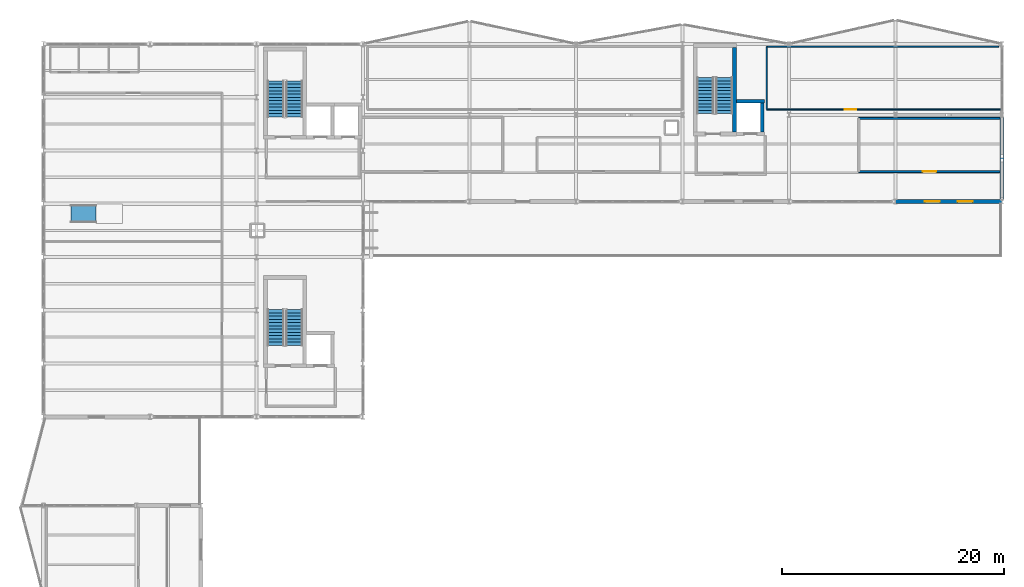
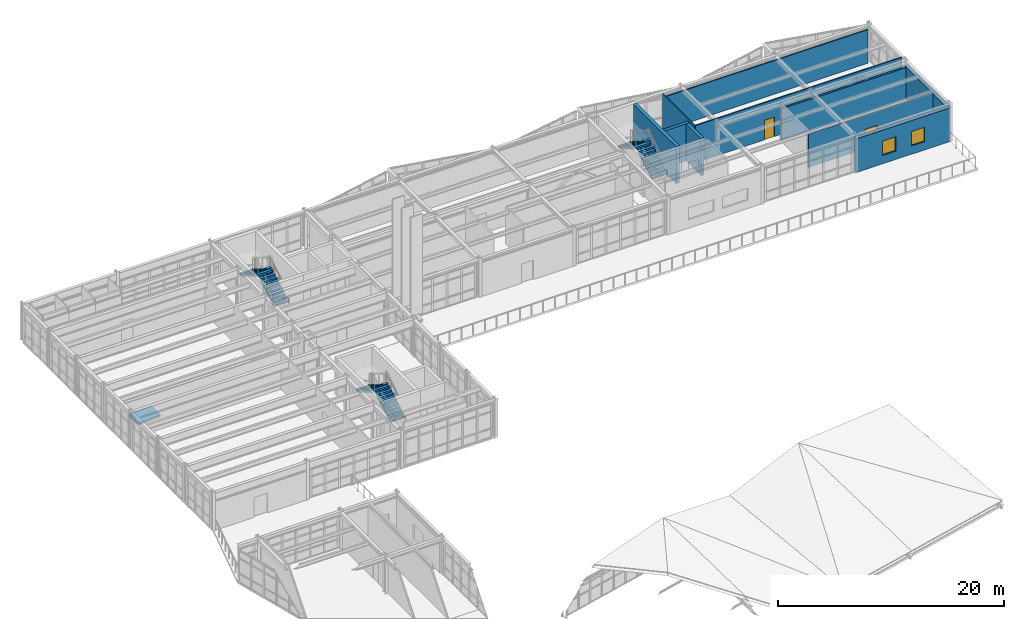
# One storey, part 43 of 47: 10 walls, 6 stair flights, 2 doors, 2 windows, 1 ramp flight, 4 openings, 4 elements without a shape of their own.
"""IFC4 building model written with IfcOpenShell, lengths in metres."""

from ifc_helpers import new_model, si_unit, direction, frame, frame_2d, origin, place, context, subcontext, project, spatial, polyline, rectangle, outline, extrude, material, layer, layer_set, type_object, element, fill, aggregate, save


model = new_model("IFC4")

# Units and contexts
model_context = context("Model", 3, precision=1e-05, world=origin(), true_north=direction((0.0, 1.0)))
body_context = subcontext(model_context, "Body", "Model", "MODEL_VIEW")
ifc_project = project(units=[si_unit("LENGTHUNIT", "METRE"), si_unit("AREAUNIT", "SQUARE_METRE"), si_unit("VOLUMEUNIT", "CUBIC_METRE"), si_unit("PLANEANGLEUNIT", "RADIAN"), si_unit("MASSUNIT", "GRAM", prefix="KILO")], contexts=[model_context])

# Site, building, storey
site_placement = place(None, origin())
site = spatial("IfcSite", under=ifc_project, at=site_placement, CompositionType="ELEMENT")
building_placement = place(site_placement, origin())
building = spatial("IfcBuilding", under=site, at=building_placement, Name="Nordkorset Police Headquarters", CompositionType="ELEMENT")
storey_placement = place(building_placement, frame((0.0, 0.0, 22.050048828125)))
storey = spatial("IfcBuildingStorey", under=building, at=storey_placement, Name="L05", CompositionType="ELEMENT", Elevation=22.050048828125)

# Wall, opening, door
ifc_material_1 = material(Name="Gypsum board", Category="gypsum")
ifc_layer_1 = layer(ifc_material_1, 0.179931640625, Name="Gypsum board")
ifc_layer_set_1 = layer_set([ifc_layer_1], Name="Gypsum board")
wall_type_1 = type_object("IfcWallType", Name="Wall_Comp_180", PredefinedType="PARTITIONING", material=ifc_layer_set_1)
wall_1_placement = place(storey_placement, frame((73.5, 105.300048828125, 0.0), z_axis=(0.0, 0.0, 1.0), x_axis=(1.0, 0.0, 0.0)))
wall_1 = element("IfcWall", 1, at=wall_1_placement, inside=storey, type_object=wall_type_1, Name="Interior Partition Wall North Wing Air Handling Room", PredefinedType="PARTITIONING", context=body_context, shape_type="SweptSolid", body=[
    extrude(rectangle(XDim=12.72509765625, YDim=0.179931640625, at=frame_2d((6.362548828125, 0.0))), origin(), (0.0, 0.0, 1.0), 3.5849609375),
])
opening_1_placement = place(wall_1_placement, frame((5.75244140625, 0.0, 0.0)))
opening_1 = element("IfcOpeningElement", 2, at=opening_1_placement, cuts=wall_1, Name="Opening DR-13", PredefinedType="OPENING", context=body_context, shape_type="SweptSolid", body=[
    extrude(rectangle(XDim=1.219970703125, YDim=2.10009765625, at=frame_2d((0.60986328125, 1.050048828125))), frame((0.0, 0.10009765625, 0.0), z_axis=(0.0, -1.0, 0.0), x_axis=(1.0, 0.0, 0.0)), (0.0, 0.0, 1.0), 0.199951171875),
])
ifc_material_2 = material(Name="Steel S355J2", Category="steel")
door_type_1 = type_object("IfcDoorType", Name="Door_FireComp_1220x2100", OperationType="NOTDEFINED", PredefinedType="DOOR", material=ifc_material_2)
door_1_placement = place(opening_1_placement, origin())
door_1 = element("IfcDoor", 3, at=door_1_placement, inside=storey, type_object=door_type_1, Name="Interior Door North Wing Air Handling Room", OperationType="SINGLE_SWING_LEFT", OverallHeight=2.10009765625, OverallWidth=1.219970703125, PredefinedType="DOOR", context=body_context, shape_type="SweptSolid", body=[
    extrude(rectangle(XDim=1.219970703125, YDim=2.10009765625, at=frame_2d((0.60986328125, 1.050048828125))), frame((0.0, 0.02490234375, 0.0), z_axis=(0.0, -1.0, 0.0), x_axis=(1.0, 0.0, 0.0)), (0.0, 0.0, 1.0), 0.050048828125),
])
fill(opening_1, door_1)

# Walls
wall_2_placement = place(storey_placement, frame((86.22509765625, 110.10009765625, 0.0), z_axis=(0.0, 0.0, 1.0), x_axis=(-1.0, 0.0, 0.0)))
element("IfcWall", 4, at=wall_2_placement, inside=storey, type_object=wall_type_1, Name="Interior Partition Wall North Wing Air Handling Room", PredefinedType="PARTITIONING", context=body_context, shape_type="SweptSolid", body=[
    extrude(rectangle(XDim=12.72509765625, YDim=0.179931640625, at=frame_2d((6.362548828125, 0.0))), origin(), (0.0, 0.0, 1.0), 3.405029296875),
])
ifc_material_3 = material(Name="Concrete C35/45", Category="concrete")
ifc_layer_2 = layer(ifc_material_3, 0.35009765625, Name="Concrete C35/45")
ifc_layer_set_2 = layer_set([ifc_layer_2], Name="Concrete C35/45")
wall_type_2 = type_object("IfcWallType", Name="Wall_CoreShear_350", PredefinedType="SHEAR", material=ifc_layer_set_2)
wall_3_placement = place(storey_placement, frame((62.300048828125, 108.875, 0.0), z_axis=(0.0, 0.0, 1.0), x_axis=(0.0, 1.0, 0.0)))
element("IfcWall", 5, at=wall_3_placement, inside=storey, type_object=wall_type_2, Name="Core K2 Stair Shaft East Shear Wall L05", PredefinedType="SHEAR", context=body_context, shape_type="SweptSolid", body=[
    extrude(rectangle(XDim=7.60009765625, YDim=0.35009765625, at=frame_2d((3.800048828125, 0.0))), origin(), (0.0, 0.0, 1.0), 4.0),
])

# Wall, openings, windows
ifc_material_4 = material(Name="Precast concrete C40/50", Category="concrete")
ifc_layer_3 = layer(ifc_material_4, 0.360107421875, Name="Precast concrete C40/50")
ifc_layer_set_3 = layer_set([ifc_layer_3], Name="Precast concrete C40/50")
wall_type_3 = type_object("IfcWallType", Name="Wall_ExtPrecast_360", PredefinedType="SOLIDWALL", material=ifc_layer_set_3)
wall_4_placement = place(storey_placement, frame((76.808837890625, 102.60009765625, 0.0), z_axis=(0.0, 0.0, 1.0), x_axis=(1.0, 0.0, 0.0)))
wall_4 = element("IfcWall", 6, at=wall_4_placement, inside=storey, type_object=wall_type_3, Name="Exterior Insulated Precast Wall L05 V2S-5", PredefinedType="SOLIDWALL", context=body_context, shape_type="SweptSolid", body=[
    extrude(rectangle(XDim=9.58251953125, YDim=0.360107421875, at=frame_2d((4.791259765625, 0.0))), origin(), (0.0, 0.0, 1.0), 3.635009765625),
])
opening_2_placement = place(wall_4_placement, frame((2.649658203125, 0.0, 0.89990234375)))
opening_2 = element("IfcOpeningElement", 7, at=opening_2_placement, cuts=wall_4, Name="Opening WN-22", PredefinedType="OPENING", context=body_context, shape_type="SweptSolid", body=[
    extrude(rectangle(XDim=1.35009765625, YDim=1.550048828125, at=frame_2d((0.675048828125, 0.77490234375))), frame((0.0, 0.18994140625, 0.0), z_axis=(0.0, -1.0, 0.0), x_axis=(1.0, 0.0, 0.0)), (0.0, 0.0, 1.0), 0.380126953125),
])
opening_3_placement = place(wall_4_placement, frame((5.5830078125, 0.0, 0.89990234375)))
opening_3 = element("IfcOpeningElement", 8, at=opening_3_placement, cuts=wall_4, Name="Opening WN-22", PredefinedType="OPENING", context=body_context, shape_type="SweptSolid", body=[
    extrude(rectangle(XDim=1.35009765625, YDim=1.550048828125, at=frame_2d((0.675048828125, 0.77490234375))), frame((0.0, 0.18994140625, 0.0), z_axis=(0.0, -1.0, 0.0), x_axis=(1.0, 0.0, 0.0)), (0.0, 0.0, 1.0), 0.380126953125),
])
ifc_material_5 = material(Name="Low-iron triple glazing", Category="glass")
window_type = type_object("IfcWindowType", Name="Win_1350x1550", PartitioningType="SINGLE_PANEL", PredefinedType="WINDOW", material=ifc_material_5)
window_1_placement = place(opening_2_placement, origin())
window_1 = element("IfcWindow", 9, at=window_1_placement, inside=storey, type_object=window_type, Name="Triple-Glazed Exterior Window L05 V2S-5-1", OverallHeight=1.550048828125, OverallWidth=1.35009765625, PartitioningType="SINGLE_PANEL", PredefinedType="WINDOW", context=body_context, shape_type="SweptSolid", body=[
    extrude(rectangle(XDim=1.35009765625, YDim=1.550048828125, at=frame_2d((0.675048828125, 0.77490234375))), frame((0.0, 0.030029296875, 0.0), z_axis=(0.0, -1.0, 0.0), x_axis=(1.0, 0.0, 0.0)), (0.0, 0.0, 1.0), 0.06005859375),
])
fill(opening_2, window_1)
window_2_placement = place(opening_3_placement, origin())
window_2 = element("IfcWindow", 10, at=window_2_placement, inside=storey, type_object=window_type, Name="Triple-Glazed Exterior Window L05 V2S-5-2", OverallHeight=1.550048828125, OverallWidth=1.35009765625, PartitioningType="SINGLE_PANEL", PredefinedType="WINDOW", context=body_context, shape_type="SweptSolid", body=[
    extrude(rectangle(XDim=1.35009765625, YDim=1.550048828125, at=frame_2d((0.675048828125, 0.77490234375))), frame((0.0, 0.030029296875, 0.0), z_axis=(0.0, -1.0, 0.0), x_axis=(1.0, 0.0, 0.0)), (0.0, 0.0, 1.0), 0.06005859375),
])
fill(opening_3, window_2)

# Wall
wall_5_placement = place(storey_placement, frame((86.39990234375, 102.802001953125, 0.0), z_axis=(0.0, 0.0, 1.0), x_axis=(0.0, 1.0, 0.0)))
element("IfcWall", 11, at=wall_5_placement, inside=storey, type_object=wall_type_3, Name="Exterior Insulated Precast Wall L05 V2E-0B", PredefinedType="SOLIDWALL", context=body_context, shape_type="SweptSolid", body=[
    extrude(rectangle(XDim=7.39599609375, YDim=0.360107421875, at=frame_2d((3.697998046875, 0.0))), origin(), (0.0, 0.0, 1.0), 3.5048828125),
])

# Wall, opening, door
ifc_material_6 = material(Name="Gypsum board", Category="gypsum")
ifc_layer_4 = layer(ifc_material_6, 0.1201171875, Name="Gypsum board")
ifc_layer_set_4 = layer_set([ifc_layer_4], Name="Gypsum board")
wall_type_4 = type_object("IfcWallType", Name="Wall_Part_120", PredefinedType="PARTITIONING", material=ifc_layer_set_4)
wall_6_placement = place(storey_placement, frame((65.199951171875, 110.89990234375, 0.0), z_axis=(0.0, 0.0, 1.0), x_axis=(1.0, 0.0, 0.0)))
wall_6 = element("IfcWall", 12, at=wall_6_placement, inside=storey, type_object=wall_type_4, Name="Interior Partition Wall Senior Police Attorney Chambers East", PredefinedType="PARTITIONING", context=body_context, shape_type="SweptSolid", body=[
    extrude(rectangle(XDim=21.114990234375, YDim=0.1201171875, at=frame_2d((10.5576171875, 0.0))), origin(), (0.0, 0.0, 1.0), 4.0),
])
opening_4_placement = place(wall_6_placement, frame((7.047607421875, 0.0, 0.0)))
opening_4 = element("IfcOpeningElement", 13, at=opening_4_placement, cuts=wall_6, Name="Opening DR-19", PredefinedType="OPENING", context=body_context, shape_type="SweptSolid", body=[
    extrude(rectangle(XDim=1.02001953125, YDim=2.10009765625, at=frame_2d((0.510009765625, 1.050048828125))), frame((0.0, 0.070068359375, 0.0), z_axis=(0.0, -1.0, 0.0), x_axis=(1.0, 0.0, 0.0)), (0.0, 0.0, 1.0), 0.14013671875),
])
ifc_material_7 = material(Name="Glulam GL30c", Category="wood")
door_type_2 = type_object("IfcDoorType", Name="Door_Office_1020x2100", OperationType="NOTDEFINED", PredefinedType="DOOR", material=ifc_material_7)
door_2_placement = place(opening_4_placement, origin())
door_2 = element("IfcDoor", 14, at=door_2_placement, inside=storey, type_object=door_type_2, Name="Interior Door Senior Police Attorney Chambers East", OperationType="SINGLE_SWING_LEFT", OverallHeight=2.10009765625, OverallWidth=1.02001953125, PredefinedType="DOOR", context=body_context, shape_type="SweptSolid", body=[
    extrude(rectangle(XDim=1.02001953125, YDim=2.10009765625, at=frame_2d((0.510009765625, 1.050048828125))), frame((0.0, 0.02490234375, 0.0), z_axis=(0.0, -1.0, 0.0), x_axis=(1.0, 0.0, 0.0)), (0.0, 0.0, 1.0), 0.050048828125),
])
fill(opening_4, door_2)

# Walls
wall_7_placement = place(storey_placement, frame((86.10009765625, 116.550048828125, 0.0), z_axis=(0.0, 0.0, 1.0), x_axis=(-1.0, 0.0, 0.0)))
element("IfcWall", 15, at=wall_7_placement, inside=storey, type_object=wall_type_4, Name="Interior Partition Wall Senior Police Attorney Chambers East", PredefinedType="PARTITIONING", context=body_context, shape_type="SweptSolid", body=[
    extrude(rectangle(XDim=20.900146484375, YDim=0.1201171875, at=frame_2d((10.4501953125, 0.0))), origin(), (0.0, 0.0, 1.0), 3.635009765625),
])
wall_8_placement = place(storey_placement, frame((65.199951171875, 116.550048828125, 0.0), z_axis=(0.0, 0.0, 1.0), x_axis=(0.0, -1.0, 0.0)))
element("IfcWall", 16, at=wall_8_placement, inside=storey, type_object=wall_type_4, Name="Interior Partition Wall Senior Police Attorney Chambers East", PredefinedType="PARTITIONING", context=body_context, shape_type="SweptSolid", body=[
    extrude(rectangle(XDim=5.650146484375, YDim=0.1201171875, at=frame_2d((2.8251953125, 0.0))), origin(), (0.0, 0.0, 1.0), 4.0),
])
ifc_material_8 = material(Name="Concrete C35/45", Category="concrete")
ifc_layer_5 = layer(ifc_material_8, 0.300048828125, Name="Concrete C35/45")
ifc_layer_set_5 = layer_set([ifc_layer_5], Name="Concrete C35/45")
wall_type_5 = type_object("IfcWallType", Name="Wall_ShaftShear_300", PredefinedType="SHEAR", material=ifc_layer_set_5)
wall_9_placement = place(storey_placement, frame((62.47509765625, 111.64990234375, 0.0), z_axis=(0.0, 0.0, 1.0), x_axis=(1.0, 0.0, 0.0)))
element("IfcWall", 17, at=wall_9_placement, inside=storey, type_object=wall_type_5, Name="Lift Shaft LF-04 Rear Shear Wall L05", PredefinedType="SHEAR", context=body_context, shape_type="SweptSolid", body=[
    extrude(rectangle(XDim=2.5, YDim=0.300048828125, at=frame_2d((1.25, 0.0))), origin(), (0.0, 0.0, 1.0), 4.0),
])
wall_10_placement = place(storey_placement, frame((64.800048828125, 108.85009765625, 0.0), z_axis=(0.0, 0.0, 1.0), x_axis=(0.0, 1.0, 0.0)))
element("IfcWall", 18, at=wall_10_placement, inside=storey, type_object=wall_type_5, Name="Lift Shaft LF-04 East Shear Wall L05", PredefinedType="SHEAR", context=body_context, shape_type="SweptSolid", body=[
    extrude(rectangle(XDim=2.64990234375, YDim=0.300048828125, at=frame_2d((1.324951171875, 0.0))), origin(), (0.0, 0.0, 1.0), 4.0),
])

# Stair, stair flights
ifc_material_9 = material(Name="Concrete C35/45", Category="concrete")
stair_type = type_object("IfcStairType", Name="ST-42", PredefinedType="HALF_TURN_STAIR", material=ifc_material_9)
stair_1_placement = place(storey_placement, origin())
stair_1 = element("IfcStair", 19, at=stair_1_placement, inside=storey, type_object=stair_type, Name="L05 Protected Escape Stair ST-01", PredefinedType="HALF_TURN_STAIR")
ifc_material_10 = material(Name="Concrete C35/45", Category="concrete")
stair_flight_type = type_object("IfcStairFlightType", Name="SF-42", PredefinedType="STRAIGHT", material=ifc_material_10)
stair_flight_1_placement = place(storey_placement, frame((22.625, 110.22509765625, 0.0), z_axis=(0.0, 0.0, 1.0), x_axis=(0.0, 1.0, 0.0)))
stair_flight_1 = element("IfcStairFlight", 20, at=stair_flight_1_placement, type_object=stair_flight_type, Name="ST-01 flight 1", NumberOfRisers=12, NumberOfTreads=11, PredefinedType="STRAIGHT", RiserHeight=0.175, TreadLength=0.295, context=body_context, shape_type="SweptSolid", body=[
    extrude(outline(polyline([(0.0, 0.0), (0.0, 0.175048828125), (0.294921875, 0.175048828125), (0.294921875, 0.35009765625), (0.590087890625, 0.35009765625), (0.590087890625, 0.52490234375), (0.885009765625, 0.52490234375), (0.885009765625, 0.699951171875), (1.179931640625, 0.699951171875), (1.179931640625, 0.875), (1.47509765625, 0.875), (1.47509765625, 1.050048828125), (1.77001953125, 1.050048828125), (1.77001953125, 1.22509765625), (2.06494140625, 1.22509765625), (2.06494140625, 1.39990234375), (2.360107421875, 1.39990234375), (2.360107421875, 1.574951171875), (2.655029296875, 1.574951171875), (2.655029296875, 1.75), (2.949951171875, 1.75), (2.949951171875, 1.925048828125), (3.2451171875, 1.925048828125), (3.2451171875, 2.10009765625), (3.2451171875, 1.739013671875), (0.3134765625, 0.0), (0.0, 0.0)])), frame((0.0, 0.75, 0.0), z_axis=(0.0, -1.0, 0.0), x_axis=(1.0, 0.0, 0.0)), (0.0, 0.0, 1.0), 1.5),
])
stair_flight_2_placement = place(storey_placement, frame((20.925048828125, 113.469970703125, 2.099853515625), z_axis=(0.0, 0.0, 1.0), x_axis=(0.0, -1.0, 0.0)))
stair_flight_2 = element("IfcStairFlight", 21, at=stair_flight_2_placement, type_object=stair_flight_type, Name="ST-01 flight 2", NumberOfRisers=12, NumberOfTreads=11, PredefinedType="STRAIGHT", RiserHeight=0.175, TreadLength=0.295, context=body_context, shape_type="SweptSolid", body=[
    extrude(outline(polyline([(0.0, 0.0), (0.0, 0.175048828125), (0.294921875, 0.175048828125), (0.294921875, 0.35009765625), (0.590087890625, 0.35009765625), (0.590087890625, 0.52490234375), (0.885009765625, 0.52490234375), (0.885009765625, 0.699951171875), (1.179931640625, 0.699951171875), (1.179931640625, 0.875), (1.47509765625, 0.875), (1.47509765625, 1.050048828125), (1.77001953125, 1.050048828125), (1.77001953125, 1.22509765625), (2.06494140625, 1.22509765625), (2.06494140625, 1.39990234375), (2.360107421875, 1.39990234375), (2.360107421875, 1.574951171875), (2.655029296875, 1.574951171875), (2.655029296875, 1.75), (2.949951171875, 1.75), (2.949951171875, 1.925048828125), (3.2451171875, 1.925048828125), (3.2451171875, 2.10009765625), (3.2451171875, 1.739013671875), (0.3134765625, 0.0), (0.0, 0.0)])), frame((0.0, 0.75, 0.0), z_axis=(0.0, -1.0, 0.0), x_axis=(1.0, 0.0, 0.0)), (0.0, 0.0, 1.0), 1.5),
])
aggregate(stair_1, [stair_flight_1, stair_flight_2])

stair_2_placement = place(storey_placement, origin())
stair_2 = element("IfcStair", 22, at=stair_2_placement, inside=storey, type_object=stair_type, Name="L05 Protected Escape Stair ST-03", PredefinedType="HALF_TURN_STAIR")
stair_flight_3_placement = place(storey_placement, frame((22.625, 89.625, 0.0), z_axis=(0.0, 0.0, 1.0), x_axis=(0.0, 1.0, 0.0)))
stair_flight_3 = element("IfcStairFlight", 23, at=stair_flight_3_placement, type_object=stair_flight_type, Name="ST-03 flight 1", NumberOfRisers=12, NumberOfTreads=11, PredefinedType="STRAIGHT", RiserHeight=0.175, TreadLength=0.295, context=body_context, shape_type="SweptSolid", body=[
    extrude(outline(polyline([(0.0, 0.0), (0.0, 0.175048828125), (0.294921875, 0.175048828125), (0.294921875, 0.35009765625), (0.590087890625, 0.35009765625), (0.590087890625, 0.52490234375), (0.885009765625, 0.52490234375), (0.885009765625, 0.699951171875), (1.179931640625, 0.699951171875), (1.179931640625, 0.875), (1.47509765625, 0.875), (1.47509765625, 1.050048828125), (1.77001953125, 1.050048828125), (1.77001953125, 1.22509765625), (2.06494140625, 1.22509765625), (2.06494140625, 1.39990234375), (2.360107421875, 1.39990234375), (2.360107421875, 1.574951171875), (2.655029296875, 1.574951171875), (2.655029296875, 1.75), (2.949951171875, 1.75), (2.949951171875, 1.925048828125), (3.2451171875, 1.925048828125), (3.2451171875, 2.10009765625), (3.2451171875, 1.739013671875), (0.3134765625, 0.0), (0.0, 0.0)])), frame((0.0, 0.75, 0.0), z_axis=(0.0, -1.0, 0.0), x_axis=(1.0, 0.0, 0.0)), (0.0, 0.0, 1.0), 1.5),
])
stair_flight_4_placement = place(storey_placement, frame((20.925048828125, 92.8701171875, 2.099853515625), z_axis=(0.0, 0.0, 1.0), x_axis=(0.0, -1.0, 0.0)))
stair_flight_4 = element("IfcStairFlight", 24, at=stair_flight_4_placement, type_object=stair_flight_type, Name="ST-03 flight 2", NumberOfRisers=12, NumberOfTreads=11, PredefinedType="STRAIGHT", RiserHeight=0.175, TreadLength=0.295, context=body_context, shape_type="SweptSolid", body=[
    extrude(outline(polyline([(0.0, 0.0), (0.0, 0.175048828125), (0.294921875, 0.175048828125), (0.294921875, 0.35009765625), (0.590087890625, 0.35009765625), (0.590087890625, 0.52490234375), (0.885009765625, 0.52490234375), (0.885009765625, 0.699951171875), (1.179931640625, 0.699951171875), (1.179931640625, 0.875), (1.47509765625, 0.875), (1.47509765625, 1.050048828125), (1.77001953125, 1.050048828125), (1.77001953125, 1.22509765625), (2.06494140625, 1.22509765625), (2.06494140625, 1.39990234375), (2.360107421875, 1.39990234375), (2.360107421875, 1.574951171875), (2.655029296875, 1.574951171875), (2.655029296875, 1.75), (2.949951171875, 1.75), (2.949951171875, 1.925048828125), (3.2451171875, 1.925048828125), (3.2451171875, 2.10009765625), (3.2451171875, 1.739013671875), (0.3134765625, 0.0), (0.0, 0.0)])), frame((0.0, 0.75, 0.0), z_axis=(0.0, -1.0, 0.0), x_axis=(1.0, 0.0, 0.0)), (0.0, 0.0, 1.0), 1.5),
])
aggregate(stair_2, [stair_flight_3, stair_flight_4])

stair_3_placement = place(storey_placement, origin())
stair_3 = element("IfcStair", 25, at=stair_3_placement, inside=storey, type_object=stair_type, Name="L05 Protected Escape Stair ST-02", PredefinedType="HALF_TURN_STAIR")
stair_flight_5_placement = place(storey_placement, frame((61.375, 110.52490234375, 0.0), z_axis=(0.0, 0.0, 1.0), x_axis=(0.0, 1.0, 0.0)))
stair_flight_5 = element("IfcStairFlight", 26, at=stair_flight_5_placement, type_object=stair_flight_type, Name="ST-02 flight 1", NumberOfRisers=12, NumberOfTreads=11, PredefinedType="STRAIGHT", RiserHeight=0.175, TreadLength=0.295, context=body_context, shape_type="SweptSolid", body=[
    extrude(outline(polyline([(0.0, 0.0), (0.0, 0.175048828125), (0.294921875, 0.175048828125), (0.294921875, 0.35009765625), (0.590087890625, 0.35009765625), (0.590087890625, 0.52490234375), (0.885009765625, 0.52490234375), (0.885009765625, 0.699951171875), (1.179931640625, 0.699951171875), (1.179931640625, 0.875), (1.47509765625, 0.875), (1.47509765625, 1.050048828125), (1.77001953125, 1.050048828125), (1.77001953125, 1.22509765625), (2.06494140625, 1.22509765625), (2.06494140625, 1.39990234375), (2.360107421875, 1.39990234375), (2.360107421875, 1.574951171875), (2.655029296875, 1.574951171875), (2.655029296875, 1.75), (2.949951171875, 1.75), (2.949951171875, 1.925048828125), (3.2451171875, 1.925048828125), (3.2451171875, 2.10009765625), (3.2451171875, 1.739013671875), (0.3134765625, 0.0), (0.0, 0.0)])), frame((0.0, 0.75, 0.0), z_axis=(0.0, -1.0, 0.0), x_axis=(1.0, 0.0, 0.0)), (0.0, 0.0, 1.0), 1.5),
])
stair_flight_6_placement = place(storey_placement, frame((59.675048828125, 113.77001953125, 2.099853515625), z_axis=(0.0, 0.0, 1.0), x_axis=(0.0, -1.0, 0.0)))
stair_flight_6 = element("IfcStairFlight", 27, at=stair_flight_6_placement, type_object=stair_flight_type, Name="ST-02 flight 2", NumberOfRisers=12, NumberOfTreads=11, PredefinedType="STRAIGHT", RiserHeight=0.175, TreadLength=0.295, context=body_context, shape_type="SweptSolid", body=[
    extrude(outline(polyline([(0.0, 0.0), (0.0, 0.175048828125), (0.294921875, 0.175048828125), (0.294921875, 0.35009765625), (0.590087890625, 0.35009765625), (0.590087890625, 0.52490234375), (0.885009765625, 0.52490234375), (0.885009765625, 0.699951171875), (1.179931640625, 0.699951171875), (1.179931640625, 0.875), (1.47509765625, 0.875), (1.47509765625, 1.050048828125), (1.77001953125, 1.050048828125), (1.77001953125, 1.22509765625), (2.06494140625, 1.22509765625), (2.06494140625, 1.39990234375), (2.360107421875, 1.39990234375), (2.360107421875, 1.574951171875), (2.655029296875, 1.574951171875), (2.655029296875, 1.75), (2.949951171875, 1.75), (2.949951171875, 1.925048828125), (3.2451171875, 1.925048828125), (3.2451171875, 2.10009765625), (3.2451171875, 1.739013671875), (0.3134765625, 0.0), (0.0, 0.0)])), frame((0.0, 0.75, 0.0), z_axis=(0.0, -1.0, 0.0), x_axis=(1.0, 0.0, 0.0)), (0.0, 0.0, 1.0), 1.5),
])
aggregate(stair_3, [stair_flight_5, stair_flight_6])

# Ramp, ramp flight
ifc_material_11 = material(Name="Concrete C35/45", Category="concrete")
ramp_type = type_object("IfcRampType", Name="Ramp_Access_1600", PredefinedType="STRAIGHT_RUN_RAMP", material=ifc_material_11)
ramp_placement = place(storey_placement, origin())
ramp = element("IfcRamp", 28, at=ramp_placement, inside=storey, type_object=ramp_type, Name="Hearing Room Dais Ramp", PredefinedType="STRAIGHT_RUN_RAMP")
ifc_material_12 = material(Name="Concrete C35/45", Category="concrete")
ifc_layer_6 = layer(ifc_material_12, 0.219970703125, Name="Concrete C35/45")
ifc_layer_set_6 = layer_set([ifc_layer_6], Name="Concrete C35/45")
ramp_flight_type = type_object("IfcRampFlightType", Name="RampFlight_Access_1600", PredefinedType="STRAIGHT", material=ifc_layer_set_6)
ramp_flight_placement = place(storey_placement, frame((2.5, 101.5, 0.0), z_axis=(0.0, 0.0, 1.0), x_axis=(1.0, 0.0, 0.0)))
ramp_flight = element("IfcRampFlight", 29, at=ramp_flight_placement, type_object=ramp_flight_type, Name="Hearing Room Dais Ramp Flight", PredefinedType="STRAIGHT", context=body_context, shape_type="SweptSolid", body=[
    extrude(outline(polyline([(0.0, 0.0), (2.239990234375, 0.139892578125), (2.239990234375, -0.080078125), (0.0, -0.219970703125), (0.0, 0.0)])), frame((0.0, 0.800048828125, 0.0), z_axis=(0.0, -1.0, 0.0), x_axis=(1.0, 0.0, 0.0)), (0.0, 0.0, 1.0), 1.60009765625),
])
aggregate(ramp, [ramp_flight])

save(model, "model.ifc")
